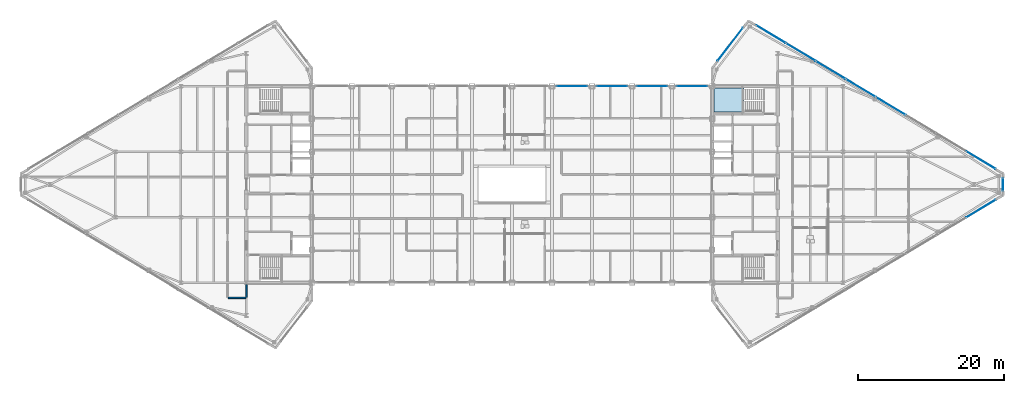
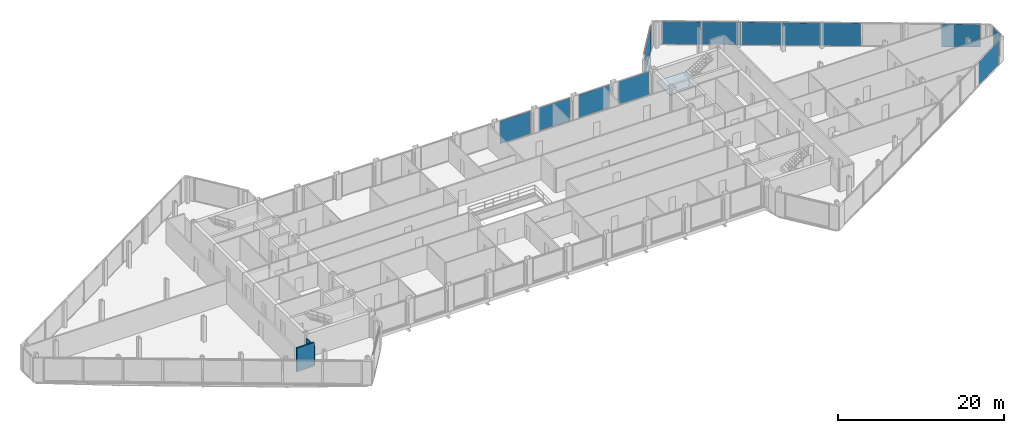
# One storey, part 20 of 28: 13 plates, 2 walls, 1 slab, 9 elements without a shape of their own.
"""IFC4 building model written with IfcOpenShell, lengths in metres."""

from ifc_helpers import new_model, si_unit, direction, frame, frame_2d, origin, origin_2d, place, context, subcontext, project, spatial, polyline, rectangle, outline, extrude, source, transform, mapped, material, layer, layer_set, type_object, type_shapes, element, aggregate, save


model = new_model("IFC4")

# Units and contexts
model_context = context("Model", 3, precision=1e-05, world=origin(), true_north=direction((0.0, 1.0)))
body_context = subcontext(model_context, "Body", "Model", "MODEL_VIEW")
ifc_project = project(units=[si_unit("LENGTHUNIT", "METRE"), si_unit("AREAUNIT", "SQUARE_METRE"), si_unit("VOLUMEUNIT", "CUBIC_METRE"), si_unit("PLANEANGLEUNIT", "RADIAN"), si_unit("MASSUNIT", "GRAM", prefix="KILO")], contexts=[model_context])

# Site, building, storey
site_placement = place(None, origin())
site = spatial("IfcSite", under=ifc_project, at=site_placement, CompositionType="ELEMENT")
building_placement = place(site_placement, origin())
building = spatial("IfcBuilding", under=site, at=building_placement, Name="Seokmaru Belvedere", CompositionType="ELEMENT")
storey_placement = place(building_placement, frame((0.0, 0.0, 265.64990234375)))
storey = spatial("IfcBuildingStorey", under=building, at=storey_placement, Name="L70", CompositionType="ELEMENT", Elevation=265.64990234375)

# Stair, slab
ifc_material_1 = material(Name="Concrete C40 (40 MPa)", Category="concrete")
stair_type = type_object("IfcStairType", Name="Sky-Gate Residential Core Dog-Leg Stair 3750", PredefinedType="TWO_STRAIGHT_RUN_STAIR", material=ifc_material_1)
stair_placement = place(storey_placement, origin())
stair = element("IfcStair", 1, at=stair_placement, inside=storey, type_object=stair_type, Name="L70 Special Escape Stair ST-E2", PredefinedType="TWO_STRAIGHT_RUN_STAIR")
ifc_layer_1 = layer(ifc_material_1, 0.199951171875)
ifc_layer_set_1 = layer_set([ifc_layer_1], Name="Concrete C40 (40 MPa)")
slab_type = type_object("IfcSlabType", Name="Reinforced Concrete Stair Landing Slab 200", PredefinedType="LANDING", material=ifc_layer_set_1)
slab_placement = place(storey_placement, frame((0.0, 0.0, 1.675048828125)))
slab = element("IfcSlab", 2, at=slab_placement, type_object=slab_type, Name="ST-E2 landing 1", PredefinedType="LANDING", context=body_context, shape_type="SweptSolid", body=[
    extrude(outline(polyline([(27.760009765625, 9.949951171875), (31.8798828125, 9.949951171875), (31.8798828125, 13.239990234375), (27.760009765625, 13.239990234375), (27.760009765625, 9.949951171875)])), origin(), (0.0, 0.0, 1.0), 0.199951171875),
])
aggregate(stair, [slab])

# Curtain wall, plate
ifc_material_2 = material(Name="Bronze Triple Insulating Glass", Category="glass")
ifc_layer_2 = layer(ifc_material_2, 0.219970703125)
ifc_layer_set_2 = layer_set([ifc_layer_2], Name="Bronze Triple Insulating Glass")
curtain_wall_type = type_object("IfcCurtainWallType", Name="Sky-Gate Bridge Panorama Curtain Wall System CW-6", PredefinedType="NOTDEFINED", material=ifc_layer_set_2)
curtain_wall_1_placement = place(storey_placement, origin())
curtain_wall_1 = element("IfcCurtainWall", 3, at=curtain_wall_1_placement, inside=storey, type_object=curtain_wall_type, Name="L70 Curtain Wall EF4", PredefinedType="NOTDEFINED")
ifc_layer_3 = layer(ifc_material_2, 0.0419921875)
ifc_layer_set_3 = layer_set([ifc_layer_3], Name="Bronze Triple Insulating Glass")
plate_type = type_object("IfcPlateType", Name="Acoustic Laminated Panorama Glazing Panel 42", PredefinedType="CURTAIN_PANEL", material=ifc_layer_set_3)
shared_shape_1 = source(origin(), body_context, "Body", "SweptSolid", [
    extrude(rectangle(XDim=5.740478515625, YDim=0.0419921875, at=origin_2d()), origin(), (0.0, 0.0, 1.0), 3.340087890625),
])
plate_1_placement = place(storey_placement, frame((30.0, 19.25, 0.0751953125), z_axis=(0.0, 0.0, 1.0), x_axis=(-0.609701187349, -0.792631353244, 0.0)))
plate_1 = element("IfcPlate", 4, at=plate_1_placement, type_object=plate_type, Name="CW:L70:EF4 Glazing Panel 1-1", PredefinedType="CURTAIN_PANEL", context=body_context, shape_type="MappedRepresentation", body=[
    mapped(shared_shape_1, transform((0.0, 0.0, 0.0), scale=1.0)),
])
aggregate(curtain_wall_1, [plate_1])

curtain_wall_2_placement = place(storey_placement, origin())
curtain_wall_2 = element("IfcCurtainWall", 5, at=curtain_wall_2_placement, inside=storey, type_object=curtain_wall_type, Name="L70 Curtain Wall EF1", PredefinedType="NOTDEFINED")
shared_shape_2 = source(origin(), body_context, "Body", "SweptSolid", [
    extrude(rectangle(XDim=4.694580078125, YDim=0.0419921875, at=origin_2d()), origin(), (0.0, 0.0, 1.0), 3.340087890625),
])
plate_2_placement = place(storey_placement, frame((64.4326171875, -3.340576171875, 0.0751953125), z_axis=(0.0, 0.0, 1.0), x_axis=(0.85749343335, 0.514494909364, 0.0)))
plate_2 = element("IfcPlate", 6, at=plate_2_placement, type_object=plate_type, Name="CW:L70:EF1 Glazing Panel 8-1", PredefinedType="CURTAIN_PANEL", context=body_context, shape_type="MappedRepresentation", body=[
    mapped(shared_shape_2, transform((0.0, 0.0, 0.0), scale=1.0)),
])
aggregate(curtain_wall_2, [plate_2])

# Curtain wall, plates
curtain_wall_3_placement = place(storey_placement, origin())
curtain_wall_3 = element("IfcCurtainWall", 7, at=curtain_wall_3_placement, inside=storey, type_object=curtain_wall_type, Name="L70 Curtain Wall EF3", PredefinedType="NOTDEFINED")
plate_3_placement = place(storey_placement, frame((64.4326171875, 3.340576171875, 0.0751953125), z_axis=(0.0, 0.0, 1.0), x_axis=(-0.85749343335, 0.514494909364, 0.0)))
plate_3 = element("IfcPlate", 8, at=plate_3_placement, type_object=plate_type, Name="CW:L70:EF3 Glazing Panel 1-1", PredefinedType="CURTAIN_PANEL", context=body_context, shape_type="MappedRepresentation", body=[
    mapped(shared_shape_2, transform((0.0, 0.0, 0.0), scale=1.0)),
])
plate_4_placement = place(storey_placement, frame((35.5673828125, 20.659423828125, 0.0751953125), z_axis=(0.0, 0.0, 1.0), x_axis=(-0.85749343335, 0.514494909364, 0.0)))
plate_4 = element("IfcPlate", 9, at=plate_4_placement, type_object=plate_type, Name="CW:L70:EF3 Glazing Panel 8-1", PredefinedType="CURTAIN_PANEL", context=body_context, shape_type="MappedRepresentation", body=[
    mapped(shared_shape_2, transform((0.0, 0.0, 0.0), scale=1.0)),
])
shared_shape_3 = source(origin(), body_context, "Body", "SweptSolid", [
    extrude(rectangle(XDim=4.734619140625, YDim=0.0419921875, at=origin_2d()), origin(), (0.0, 0.0, 1.0), 3.340087890625),
])
plate_5_placement = place(storey_placement, frame((52.064208984375, 10.761474609375, 0.0751953125), z_axis=(0.0, 0.0, 1.0), x_axis=(-0.85749343335, 0.514494909364, 0.0)))
plate_5 = element("IfcPlate", 10, at=plate_5_placement, type_object=plate_type, Name="CW:L70:EF3 Glazing Panel 4-1", PredefinedType="CURTAIN_PANEL", context=body_context, shape_type="MappedRepresentation", body=[
    mapped(shared_shape_3, transform((0.0, 0.0, 0.0), scale=1.0)),
])
plate_6_placement = place(storey_placement, frame((47.935791015625, 13.238525390625, 0.0751953125), z_axis=(0.0, 0.0, 1.0), x_axis=(-0.85749343335, 0.514494909364, 0.0)))
plate_6 = element("IfcPlate", 11, at=plate_6_placement, type_object=plate_type, Name="CW:L70:EF3 Glazing Panel 5-1", PredefinedType="CURTAIN_PANEL", context=body_context, shape_type="MappedRepresentation", body=[
    mapped(shared_shape_3, transform((0.0, 0.0, 0.0), scale=1.0)),
])
plate_7_placement = place(storey_placement, frame((43.807373046875, 15.715576171875, 0.0751953125), z_axis=(0.0, 0.0, 1.0), x_axis=(-0.85749343335, 0.514494909364, 0.0)))
plate_7 = element("IfcPlate", 12, at=plate_7_placement, type_object=plate_type, Name="CW:L70:EF3 Glazing Panel 6-1", PredefinedType="CURTAIN_PANEL", context=body_context, shape_type="MappedRepresentation", body=[
    mapped(shared_shape_3, transform((0.0, 0.0, 0.0), scale=1.0)),
])
plate_8_placement = place(storey_placement, frame((39.6787109375, 18.192626953125, 0.0751953125), z_axis=(0.0, 0.0, 1.0), x_axis=(-0.85749343335, 0.514494909364, 0.0)))
plate_8 = element("IfcPlate", 13, at=plate_8_placement, type_object=plate_type, Name="CW:L70:EF3 Glazing Panel 7-1", PredefinedType="CURTAIN_PANEL", context=body_context, shape_type="MappedRepresentation", body=[
    mapped(shared_shape_3, transform((0.0, 0.0, 0.0), scale=1.0)),
])
aggregate(curtain_wall_3, [plate_3, plate_5, plate_6, plate_7, plate_8, plate_4])

# Curtain wall, plate
curtain_wall_4_placement = place(storey_placement, origin())
curtain_wall_4 = element("IfcCurtainWall", 14, at=curtain_wall_4_placement, inside=storey, type_object=curtain_wall_type, Name="L70 Curtain Wall EF2", PredefinedType="NOTDEFINED")
shared_shape_4 = source(origin(), body_context, "Body", "SweptSolid", [
    extrude(rectangle(XDim=1.739990234375, YDim=0.0419921875, at=origin_2d()), origin(), (0.0, 0.0, 1.0), 3.340087890625),
])
plate_9_placement = place(storey_placement, frame((67.5, 0.0, 0.0751953125), z_axis=(0.0, 0.0, 1.0), x_axis=(0.0, 1.0, 0.0)))
plate_9 = element("IfcPlate", 15, at=plate_9_placement, type_object=plate_type, Name="CW:L70:EF2 Glazing Panel 1-1", PredefinedType="CURTAIN_PANEL", context=body_context, shape_type="MappedRepresentation", body=[
    mapped(shared_shape_4, transform((0.0, 0.0, 0.0), scale=1.0)),
])
aggregate(curtain_wall_4, [plate_9])

curtain_wall_5_placement = place(storey_placement, origin())
curtain_wall_5 = element("IfcCurtainWall", 16, at=curtain_wall_5_placement, inside=storey, type_object=curtain_wall_type, Name="L70 Curtain Wall BR_N07", PredefinedType="NOTDEFINED")
shared_shape_5 = source(origin(), body_context, "Body", "SweptSolid", [
    extrude(rectangle(XDim=4.239990234375, YDim=0.0419921875, at=origin_2d()), origin(), (0.0, 0.0, 1.0), 3.340087890625),
])
type_shapes(plate_type, [shared_shape_1, shared_shape_2, shared_shape_3, shared_shape_4, shared_shape_5])
plate_10_placement = place(storey_placement, frame((8.25, 13.5, 0.0751953125), z_axis=(0.0, 0.0, 1.0), x_axis=(-1.0, 0.0, 0.0)))
plate_10 = element("IfcPlate", 17, at=plate_10_placement, type_object=plate_type, Name="CW:L70:BR_N07 Glazing Panel 1-1", PredefinedType="CURTAIN_PANEL", context=body_context, shape_type="MappedRepresentation", body=[
    mapped(shared_shape_5, transform((0.0, 0.0, 0.0), scale=1.0)),
])
aggregate(curtain_wall_5, [plate_10])

curtain_wall_6_placement = place(storey_placement, origin())
curtain_wall_6 = element("IfcCurtainWall", 18, at=curtain_wall_6_placement, inside=storey, type_object=curtain_wall_type, Name="L70 Curtain Wall BR_N08", PredefinedType="NOTDEFINED")
plate_11_placement = place(storey_placement, frame((13.75, 13.5, 0.0751953125), z_axis=(0.0, 0.0, 1.0), x_axis=(-1.0, 0.0, 0.0)))
plate_11 = element("IfcPlate", 19, at=plate_11_placement, type_object=plate_type, Name="CW:L70:BR_N08 Glazing Panel 1-1", PredefinedType="CURTAIN_PANEL", context=body_context, shape_type="MappedRepresentation", body=[
    mapped(shared_shape_5, transform((0.0, 0.0, 0.0), scale=1.0)),
])
aggregate(curtain_wall_6, [plate_11])

curtain_wall_7_placement = place(storey_placement, origin())
curtain_wall_7 = element("IfcCurtainWall", 20, at=curtain_wall_7_placement, inside=storey, type_object=curtain_wall_type, Name="L70 Curtain Wall BR_N09", PredefinedType="NOTDEFINED")
plate_12_placement = place(storey_placement, frame((19.25, 13.5, 0.0751953125), z_axis=(0.0, 0.0, 1.0), x_axis=(-1.0, 0.0, 0.0)))
plate_12 = element("IfcPlate", 21, at=plate_12_placement, type_object=plate_type, Name="CW:L70:BR_N09 Glazing Panel 1-1", PredefinedType="CURTAIN_PANEL", context=body_context, shape_type="MappedRepresentation", body=[
    mapped(shared_shape_5, transform((0.0, 0.0, 0.0), scale=1.0)),
])
aggregate(curtain_wall_7, [plate_12])

curtain_wall_8_placement = place(storey_placement, origin())
curtain_wall_8 = element("IfcCurtainWall", 22, at=curtain_wall_8_placement, inside=storey, type_object=curtain_wall_type, Name="L70 Curtain Wall BR_N10", PredefinedType="NOTDEFINED")
plate_13_placement = place(storey_placement, frame((24.75, 13.5, 0.0751953125), z_axis=(0.0, 0.0, 1.0), x_axis=(-1.0, 0.0, 0.0)))
plate_13 = element("IfcPlate", 23, at=plate_13_placement, type_object=plate_type, Name="CW:L70:BR_N10 Glazing Panel 1-1", PredefinedType="CURTAIN_PANEL", context=body_context, shape_type="MappedRepresentation", body=[
    mapped(shared_shape_5, transform((0.0, 0.0, 0.0), scale=1.0)),
])
aggregate(curtain_wall_8, [plate_13])

# Walls
ifc_material_3 = material(Name="Fire-Rated Gypsum Shaftwall")
ifc_layer_4 = layer(ifc_material_3, 0.199951171875)
ifc_layer_set_4 = layer_set([ifc_layer_4], Name="Fire-Rated Gypsum Shaftwall")
wall_type = type_object("IfcWallType", Name="Inter-Tenancy Fire Compartment Partition 200", PredefinedType="PARTITIONING", material=ifc_layer_set_4)
wall_1_placement = place(storey_placement, frame((-39.014892578125, -15.60009765625, 0.0), z_axis=(0.0, 0.0, 1.0), x_axis=(1.0, 0.0, 0.0)))
element("IfcWall", 24, at=wall_1_placement, inside=storey, type_object=wall_type, Name="L70 Interior Partition 001", PredefinedType="PARTITIONING", context=body_context, shape_type="SweptSolid", body=[
    extrude(rectangle(XDim=2.429931640625, YDim=0.199951171875, at=frame_2d((1.21484375, 0.0))), origin(), (0.0, 0.0, 1.0), 3.489990234375),
])
wall_2_placement = place(storey_placement, frame((-36.5, -15.514892578125, 0.0), z_axis=(0.0, 0.0, 1.0), x_axis=(0.0, 1.0, 0.0)))
element("IfcWall", 25, at=wall_2_placement, inside=storey, type_object=wall_type, Name="L70 Interior Partition 027", PredefinedType="PARTITIONING", context=body_context, shape_type="SweptSolid", body=[
    extrude(rectangle(XDim=1.760009765625, YDim=0.199951171875, at=frame_2d((0.8798828125, 0.0))), origin(), (0.0, 0.0, 1.0), 2.89013671875),
])

save(model, "model.ifc")
